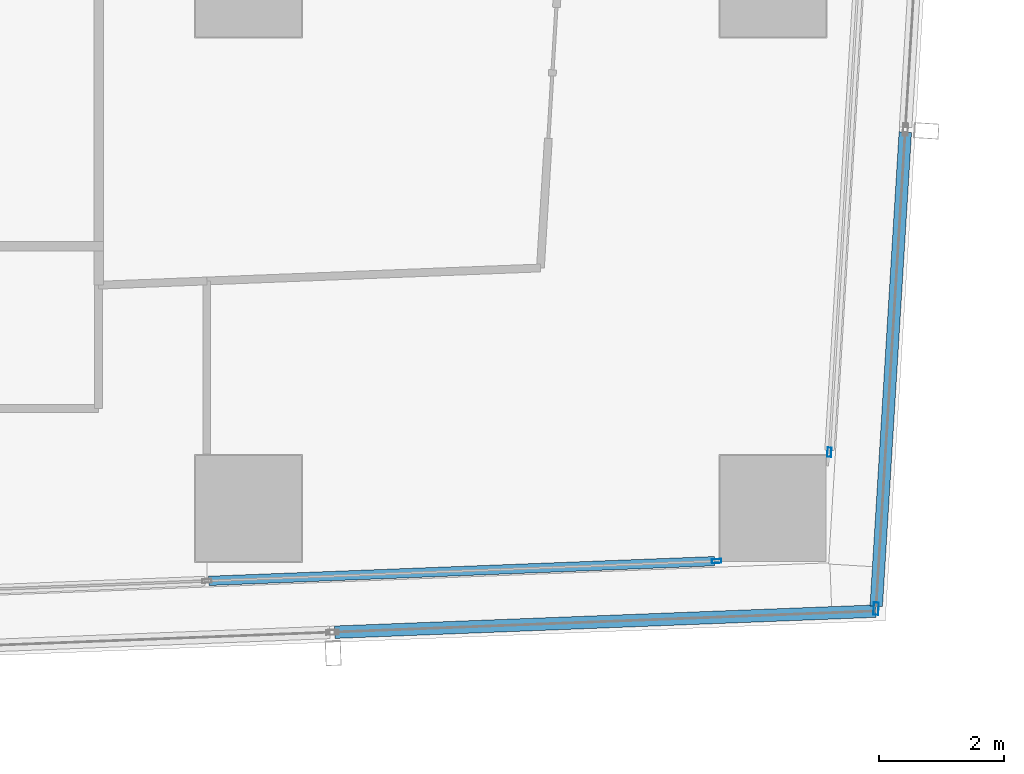
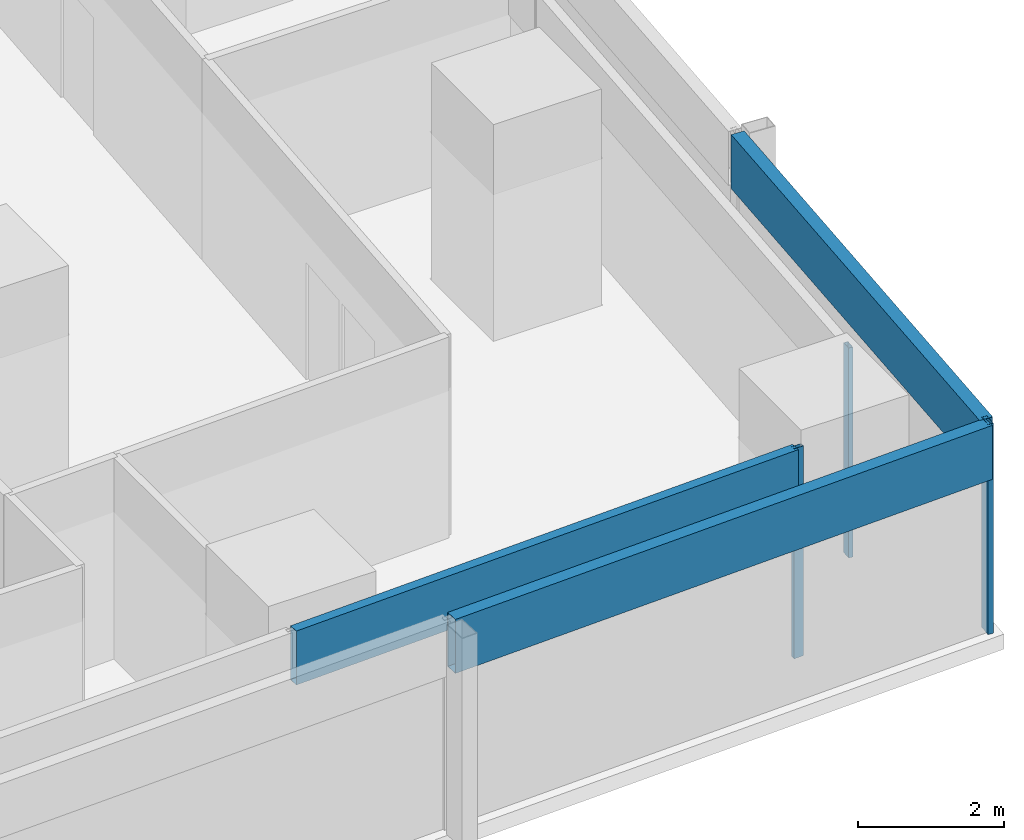
# One storey, part 9 of 38: 6 members, 4 elements without a shape of their own.
"""IFC4 building model written with IfcOpenShell, lengths in metres."""

from ifc_helpers import new_model, si_unit, direction, frame, origin, origin_2d, place, context, subcontext, project, spatial, hollow_rectangle, extrude, material, material_profile, profile_set, type_object, element, aggregate, save


model = new_model("IFC4")

# Units and contexts
model_context = context("Model", 3, precision=1e-05, world=origin(), true_north=direction((0.0, 1.0)))
body_context = subcontext(model_context, "Body", "Model", "MODEL_VIEW")
ifc_project = project(units=[si_unit("LENGTHUNIT", "METRE"), si_unit("AREAUNIT", "SQUARE_METRE"), si_unit("VOLUMEUNIT", "CUBIC_METRE"), si_unit("PLANEANGLEUNIT", "RADIAN"), si_unit("MASSUNIT", "GRAM", prefix="KILO")], contexts=[model_context])

# Site, building, storey
site_placement = place(None, origin())
site = spatial("IfcSite", under=ifc_project, at=site_placement, CompositionType="ELEMENT")
building_placement = place(site_placement, origin())
building = spatial("IfcBuilding", under=site, at=building_placement, Name="Rekha Terrace Tower", CompositionType="ELEMENT")
storey_placement = place(building_placement, frame((0.0, 0.0, 114.050048828125)))
storey = spatial("IfcBuildingStorey", under=building, at=storey_placement, Name="L28", CompositionType="ELEMENT", Elevation=114.050048828125)

# Curtain wall, member
ifc_material_1 = material(Name="Aluminium framing", Category="aluminium")
curtain_wall_type_1 = type_object("IfcCurtainWallType", Name="CW1 double skin inner glazing", PredefinedType="USERDEFINED", material=ifc_material_1)
curtain_wall_1_placement = place(storey_placement, origin())
curtain_wall_1 = element("IfcCurtainWall", 1, at=curtain_wall_1_placement, inside=storey, type_object=curtain_wall_type_1, Name="CW1 double skin inner glazing", ObjectType="DOUBLE SKIN INNER GLAZING", PredefinedType="USERDEFINED")
ifc_material_2 = material(Name="Aluminium mullion section", Category="aluminium")
ifc_material_profile_1 = material_profile(ifc_material_2, hollow_rectangle(XDim=0.06494140625, YDim=0.14990234375, WallThickness=0.00390625, at=origin_2d()), Name="AL RHS 65x150")
ifc_profile_set_1 = profile_set([ifc_material_profile_1], Name="Aluminium mullion section")
member_type_1 = type_object("IfcMemberType", Name="CW1 mullion RHS 65 x 150", PredefinedType="MULLION", material=ifc_profile_set_1)
member_1_placement = place(storey_placement, frame((66.29736328125, 15.95556640625, 0.0), z_axis=(0.0, 0.0, 1.0), x_axis=(-0.038889971345, 0.999243498917, 0.0)))
member_1 = element("IfcMember", 2, at=member_1_placement, type_object=member_type_1, Name="CW1 mullion 6", PredefinedType="MULLION", context=body_context, shape_type="SweptSolid", body=[
    extrude(hollow_rectangle(XDim=0.06494140625, YDim=0.14990234375, WallThickness=0.00390625, at=origin_2d()), origin(), (0.0, 0.0, 1.0), 3.5),
])

curtain_wall_2_placement = place(storey_placement, origin())
curtain_wall_2 = element("IfcCurtainWall", 3, at=curtain_wall_2_placement, inside=storey, type_object=curtain_wall_type_1, Name="CW1 double skin inner glazing", ObjectType="DOUBLE SKIN INNER GLAZING", PredefinedType="USERDEFINED")
member_2_placement = place(storey_placement, frame((68.103515625, 17.69921875, 0.0), z_axis=(0.0, 0.0, 1.0), x_axis=(-0.998127987024, 0.061159803131, 0.0)))
member_2 = element("IfcMember", 4, at=member_2_placement, type_object=member_type_1, Name="CW1 mullion 1", PredefinedType="MULLION", context=body_context, shape_type="SweptSolid", body=[
    extrude(hollow_rectangle(XDim=0.06494140625, YDim=0.14990234375, WallThickness=0.00390625, at=origin_2d()), origin(), (0.0, 0.0, 1.0), 3.5),
])
aggregate(curtain_wall_2, [member_2])

# Member
ifc_material_3 = material(Name="Insulated aluminium spandrel box", Category="aluminium")
ifc_material_profile_2 = material_profile(ifc_material_3, hollow_rectangle(XDim=0.14990234375, YDim=0.89990234375, WallThickness=0.0029296875, at=origin_2d()), Name="AL SPANDREL BOX 150x900")
ifc_profile_set_2 = profile_set([ifc_material_profile_2], Name="Insulated aluminium spandrel box")
member_type_2 = type_object("IfcMemberType", Name="CW1 spandrel transom 150 x 900", PredefinedType="USERDEFINED", material=ifc_profile_set_2)
member_3_placement = place(storey_placement, frame((58.165771484375, 15.63916015625, 3.050048828125), z_axis=(0.999243585207, 0.038887754153, 0.0), x_axis=(-0.038887754153, 0.999243585207, 0.0)))
member_3 = element("IfcMember", 5, at=member_3_placement, type_object=member_type_2, Name="CW1 spandrel transom 5", ObjectType="TRANSOM", PredefinedType="USERDEFINED", context=body_context, shape_type="SweptSolid", body=[
    extrude(hollow_rectangle(XDim=0.14990234375, YDim=0.89990234375, WallThickness=0.0029296875, at=origin_2d()), origin(), (0.0, 0.0, 1.0), 8.10498046875),
])

aggregate(curtain_wall_1, [member_1, member_3])

# Curtain wall, member
curtain_wall_type_2 = type_object("IfcCurtainWallType", Name="CW2 double skin outer glazing", PredefinedType="USERDEFINED", material=ifc_material_1)
curtain_wall_3_placement = place(storey_placement, origin())
curtain_wall_3 = element("IfcCurtainWall", 6, at=curtain_wall_3_placement, inside=storey, type_object=curtain_wall_type_2, Name="CW2 double skin outer glazing", ObjectType="DOUBLE SKIN OUTER GLAZING", PredefinedType="USERDEFINED")
ifc_material_profile_3 = material_profile(ifc_material_2, hollow_rectangle(XDim=0.080078125, YDim=0.199951171875, WallThickness=0.00390625, at=origin_2d()), Name="AL RHS 80x200")
ifc_profile_set_3 = profile_set([ifc_material_profile_3], Name="Aluminium mullion section")
member_type_3 = type_object("IfcMemberType", Name="CW2 mullion RHS 80 x 200", PredefinedType="MULLION", material=ifc_profile_set_3)
member_4_placement = place(storey_placement, frame((68.8515625, 15.194091796875, 0.0), z_axis=(0.0, 0.0, 1.0), x_axis=(-0.998127987024, 0.061159803131, 0.0)))
member_4 = element("IfcMember", 7, at=member_4_placement, type_object=member_type_3, Name="CW2 mullion 1", PredefinedType="MULLION", context=body_context, shape_type="SweptSolid", body=[
    extrude(hollow_rectangle(XDim=0.080078125, YDim=0.199951171875, WallThickness=0.00390625, at=origin_2d()), origin(), (0.0, 0.0, 1.0), 3.5),
])

curtain_wall_4_placement = place(storey_placement, origin())
curtain_wall_4 = element("IfcCurtainWall", 8, at=curtain_wall_4_placement, inside=storey, type_object=curtain_wall_type_2, Name="CW2 double skin outer glazing", ObjectType="DOUBLE SKIN OUTER GLAZING", PredefinedType="USERDEFINED")
ifc_material_profile_4 = material_profile(ifc_material_3, hollow_rectangle(XDim=0.199951171875, YDim=0.89990234375, WallThickness=0.0029296875, at=origin_2d()), Name="AL SPANDREL BOX 200x900")
ifc_profile_set_4 = profile_set([ifc_material_profile_4], Name="Insulated aluminium spandrel box")
member_type_4 = type_object("IfcMemberType", Name="CW2 spandrel transom 200 x 900", PredefinedType="USERDEFINED", material=ifc_profile_set_4)
member_5_placement = place(storey_placement, frame((60.18408203125, 14.81689453125, 3.050048828125), z_axis=(0.99924276334, 0.038908866757, 0.0), x_axis=(-0.038908866757, 0.99924276334, 0.0)))
member_5 = element("IfcMember", 9, at=member_5_placement, type_object=member_type_4, Name="CW2 spandrel transom 5", ObjectType="TRANSOM", PredefinedType="USERDEFINED", context=body_context, shape_type="SweptSolid", body=[
    extrude(hollow_rectangle(XDim=0.199951171875, YDim=0.89990234375, WallThickness=0.0029296875, at=origin_2d()), origin(), (0.0, 0.0, 1.0), 8.671630859375),
])
aggregate(curtain_wall_4, [member_5])

# Member
member_6_placement = place(storey_placement, frame((68.85400390625, 15.234130859375, 3.050048828125), z_axis=(0.061175320944, 0.998127036057, 0.0), x_axis=(-0.998127036057, 0.061175320944, 0.0)))
member_6 = element("IfcMember", 10, at=member_6_placement, type_object=member_type_4, Name="CW2 spandrel transom 1", ObjectType="TRANSOM", PredefinedType="USERDEFINED", context=body_context, shape_type="SweptSolid", body=[
    extrude(hollow_rectangle(XDim=0.199951171875, YDim=0.89990234375, WallThickness=0.0029296875, at=origin_2d()), origin(), (0.0, 0.0, 1.0), 7.6064453125),
])

aggregate(curtain_wall_3, [member_4, member_6])

save(model, "model.ifc")
